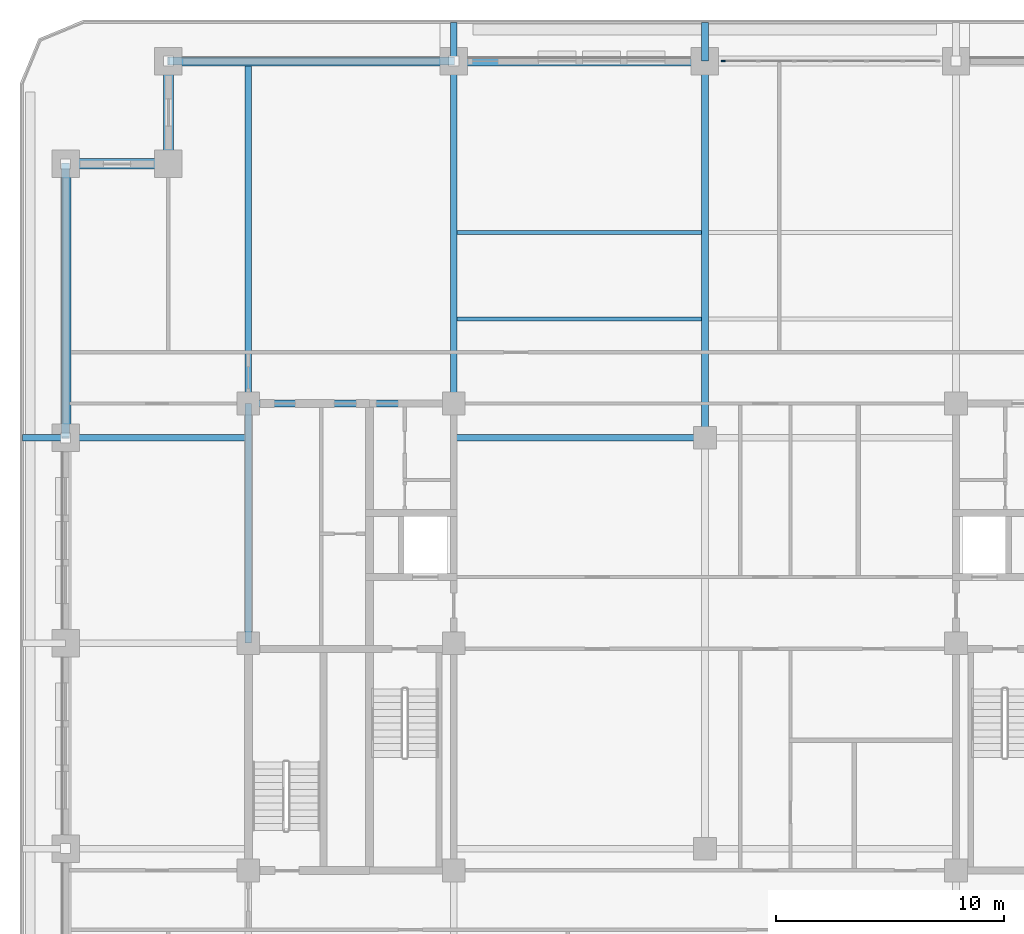
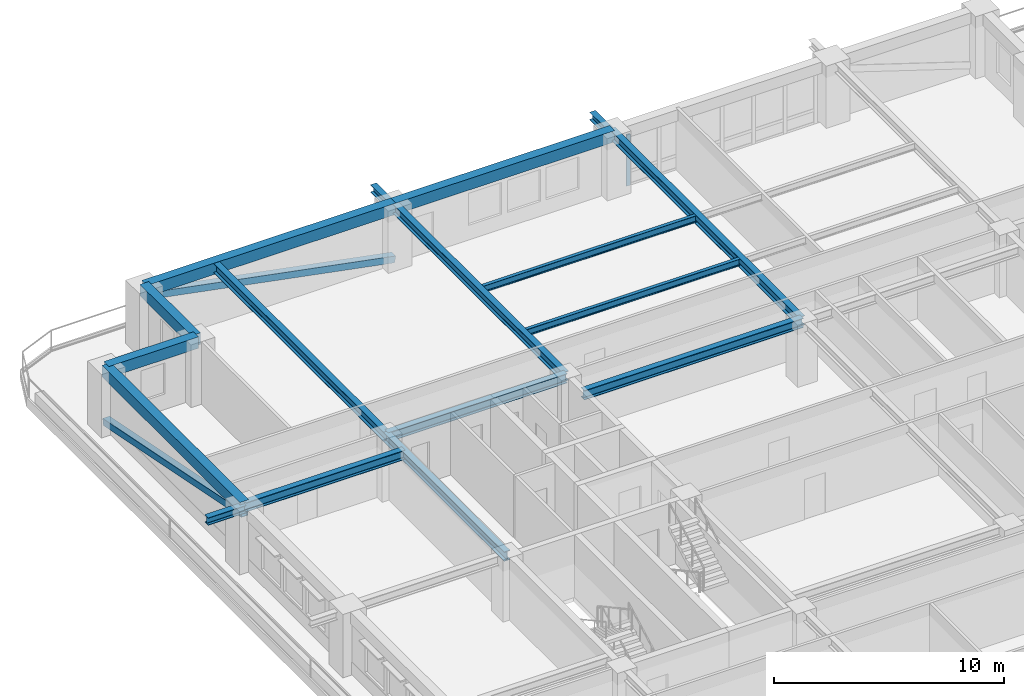
# One storey, part 5 of 20: 17 beams, 3 members, 1 element without a shape of its own.
"""IFC4 building model written with IfcOpenShell, lengths in metres."""

from ifc_helpers import new_model, si_unit, direction, frame, origin, origin_2d, place, context, subcontext, project, spatial, rectangle, hollow_rectangle, i_section, extrude, material, material_profile, profile_set, type_object, element, aggregate, save


model = new_model("IFC4")

# Units and contexts
model_context = context("Model", 3, precision=1e-05, world=origin(), true_north=direction((0.0, 1.0)))
body_context = subcontext(model_context, "Body", "Model", "MODEL_VIEW")
ifc_project = project(units=[si_unit("LENGTHUNIT", "METRE"), si_unit("AREAUNIT", "SQUARE_METRE"), si_unit("VOLUMEUNIT", "CUBIC_METRE"), si_unit("PLANEANGLEUNIT", "RADIAN"), si_unit("MASSUNIT", "GRAM", prefix="KILO")], contexts=[model_context])

# Site, building, storey
site_placement = place(None, origin())
site = spatial("IfcSite", under=ifc_project, at=site_placement, CompositionType="ELEMENT")
building_placement = place(site_placement, origin())
building = spatial("IfcBuilding", under=site, at=building_placement, Name="Zulmaris Gate Convention Tower", CompositionType="ELEMENT")
storey_placement = place(building_placement, frame((0.0, 0.0, 146.33984375)))
storey = spatial("IfcBuildingStorey", under=building, at=storey_placement, Name="L37", CompositionType="ELEMENT", Elevation=146.33984375)

# Beams
ifc_material_1 = material(Name="Steel S355", Category="steel")
ifc_material_profile_1 = material_profile(ifc_material_1, i_section(OverallWidth=0.300048828125, OverallDepth=0.39990234375, WebThickness=0.013427734375, FlangeThickness=0.02392578125, FilletRadius=0.027099609375, at=origin_2d()), Name="HEB 400")
ifc_profile_set_1 = profile_set([ifc_material_profile_1], Name="Steel S355")
beam_type_1 = type_object("IfcBeamType", Name="BM-HEB400", PredefinedType="BEAM", material=ifc_profile_set_1)
for number, where, z_axis, x_axis, name in (
    (1, (-11.0, 25.5, 2.97998046875), (0.0, 1.0, 0.0), (-1.0, 0.0, 0.0), "L37 Beam TBRK-L37-N--11"),
    (2, (0.0, 25.5, 2.97998046875), (0.0, 1.0, 0.0), (-1.0, 0.0, 0.0), "L37 Beam TBRK-L37-N-+0"),
):
    element("IfcBeam", number, at=place(storey_placement, frame(where, z_axis=z_axis, x_axis=x_axis)), inside=storey, type_object=beam_type_1, Name=name, PredefinedType="BEAM", context=body_context, shape_type="SweptSolid", body=[
        extrude(i_section(OverallWidth=0.300048828125, OverallDepth=0.39990234375, WebThickness=0.013427734375, FlangeThickness=0.02392578125, FilletRadius=0.027099609375, at=origin_2d()), origin(), (0.0, 0.0, 1.0), 1.699951171875),
    ])
beam_1_placement = place(storey_placement, frame((-29.89990234375, 9.0, 2.97998046875), z_axis=(1.0, 0.0, 0.0), x_axis=(0.0, 1.0, 0.0)))
element("IfcBeam", 3, at=beam_1_placement, inside=storey, type_object=beam_type_1, Name="L37 Beam TBRK-L37-W-+9", PredefinedType="BEAM", context=body_context, shape_type="SweptSolid", body=[
    extrude(i_section(OverallWidth=0.300048828125, OverallDepth=0.39990234375, WebThickness=0.013427734375, FlangeThickness=0.02392578125, FilletRadius=0.027099609375, at=origin_2d()), origin(), (0.0, 0.0, 1.0), 1.89990234375),
])
ifc_material_profile_2 = material_profile(ifc_material_1, i_section(OverallWidth=0.300048828125, OverallDepth=0.5, WebThickness=0.014404296875, FlangeThickness=0.028076171875, FilletRadius=0.027099609375, at=origin_2d()), Name="HEB 500")
ifc_profile_set_2 = profile_set([ifc_material_profile_2], Name="Steel S355")
beam_type_2 = type_object("IfcBeamType", Name="BM-HEB500", PredefinedType="BEAM", material=ifc_profile_set_2)
beam_2_placement = place(storey_placement, frame((-11.0, 9.0, 3.068115234375), z_axis=(1.0, 0.0, 0.0), x_axis=(0.0, 1.0, 0.0)))
element("IfcBeam", 4, at=beam_2_placement, inside=storey, type_object=beam_type_2, Name="L37 Beam BM-L37-G03", PredefinedType="BEAM", context=body_context, shape_type="SweptSolid", body=[
    extrude(i_section(OverallWidth=0.300048828125, OverallDepth=0.5, WebThickness=0.014404296875, FlangeThickness=0.028076171875, FilletRadius=0.027099609375, at=origin_2d()), origin(), (0.0, 0.0, 1.0), 11.0),
])
beam_3_placement = place(storey_placement, frame((0.0, 9.0, 3.068115234375), z_axis=(0.0, 1.0, 0.0), x_axis=(-1.0, 0.0, 0.0)))
element("IfcBeam", 5, at=beam_3_placement, inside=storey, type_object=beam_type_2, Name="L37 Beam BM-L37-G07", PredefinedType="BEAM", context=body_context, shape_type="SweptSolid", body=[
    extrude(i_section(OverallWidth=0.300048828125, OverallDepth=0.5, WebThickness=0.014404296875, FlangeThickness=0.028076171875, FilletRadius=0.027099609375, at=origin_2d()), origin(), (0.0, 0.0, 1.0), 16.5),
])
for number, where, z_axis, x_axis, name in (
    (6, (-11.0, 10.5, 3.068115234375), (0.0, 1.0, 0.0), (-1.0, 0.0, 0.0), "L37 Beam BM-L37-G09"),
    (7, (-20.0, 10.5, 3.068115234375), (0.0, 1.0, 0.0), (-1.0, 0.0, 0.0), "L37 Beam BM-L37-G13"),
):
    element("IfcBeam", number, at=place(storey_placement, frame(where, z_axis=z_axis, x_axis=x_axis)), inside=storey, type_object=beam_type_2, Name=name, PredefinedType="BEAM", context=body_context, shape_type="SweptSolid", body=[
        extrude(i_section(OverallWidth=0.300048828125, OverallDepth=0.5, WebThickness=0.014404296875, FlangeThickness=0.028076171875, FilletRadius=0.027099609375, at=origin_2d()), origin(), (0.0, 0.0, 1.0), 15.0),
    ])
beam_4_placement = place(storey_placement, frame((-28.0, 9.0, 3.068115234375), z_axis=(1.0, 0.0, 0.0), x_axis=(0.0, 1.0, 0.0)))
element("IfcBeam", 8, at=beam_4_placement, inside=storey, type_object=beam_type_2, Name="L37 Beam BM-L37-G18", PredefinedType="BEAM", context=body_context, shape_type="SweptSolid", body=[
    extrude(i_section(OverallWidth=0.300048828125, OverallDepth=0.5, WebThickness=0.014404296875, FlangeThickness=0.028076171875, FilletRadius=0.027099609375, at=origin_2d()), origin(), (0.0, 0.0, 1.0), 8.0),
])
beam_5_placement = place(storey_placement, frame((-20.0, 10.5, 3.068115234375), z_axis=(1.0, 0.0, 0.0), x_axis=(0.0, 1.0, 0.0)))
element("IfcBeam", 9, at=beam_5_placement, inside=storey, type_object=beam_type_2, Name="L37 Beam BM-L37-G23", PredefinedType="BEAM", context=body_context, shape_type="SweptSolid", body=[
    extrude(i_section(OverallWidth=0.300048828125, OverallDepth=0.5, WebThickness=0.014404296875, FlangeThickness=0.028076171875, FilletRadius=0.027099609375, at=origin_2d()), origin(), (0.0, 0.0, 1.0), 9.0),
])
beam_6_placement = place(storey_placement, frame((-20.0, 0.0, 3.068115234375), z_axis=(0.0, 1.0, 0.0), x_axis=(-1.0, 0.0, 0.0)))
element("IfcBeam", 10, at=beam_6_placement, inside=storey, type_object=beam_type_2, Name="L37 Beam BM-L37-G27", PredefinedType="BEAM", context=body_context, shape_type="SweptSolid", body=[
    extrude(i_section(OverallWidth=0.300048828125, OverallDepth=0.5, WebThickness=0.014404296875, FlangeThickness=0.028076171875, FilletRadius=0.027099609375, at=origin_2d()), origin(), (0.0, 0.0, 1.0), 10.5),
])
ifc_material_2 = material(Name="Precast concrete C50/60", Category="concrete")
ifc_material_profile_3 = material_profile(ifc_material_2, rectangle(XDim=0.449951171875, YDim=0.60009765625, at=origin_2d()), Name="RC SPANDREL 450x600")
ifc_profile_set_3 = profile_set([ifc_material_profile_3], Name="Precast concrete C50/60")
beam_type_3 = type_object("IfcBeamType", Name="BM-SP450x600", PredefinedType="SPANDREL", material=ifc_profile_set_3)
beam_7_placement = place(storey_placement, frame((0.0, 25.5, 3.02001953125), z_axis=(-1.0, 0.0, 0.0), x_axis=(0.0, -1.0, 0.0)))
element("IfcBeam", 11, at=beam_7_placement, inside=storey, type_object=beam_type_3, Name="L37 Spandrel SP-L37-15", PredefinedType="SPANDREL", context=body_context, shape_type="SweptSolid", body=[
    extrude(rectangle(XDim=0.449951171875, YDim=0.60009765625, at=origin_2d()), origin(), (0.0, 0.0, 1.0), 11.0),
])
beam_8_placement = place(storey_placement, frame((-11.0, 25.5, 3.02001953125), z_axis=(-1.0, 0.0, 0.0), x_axis=(0.0, -1.0, 0.0)))
element("IfcBeam", 12, at=beam_8_placement, inside=storey, type_object=beam_type_3, Name="L37 Spandrel SP-L37-16", PredefinedType="SPANDREL", context=body_context, shape_type="SweptSolid", body=[
    extrude(rectangle(XDim=0.449951171875, YDim=0.60009765625, at=origin_2d()), origin(), (0.0, 0.0, 1.0), 12.5),
])
for number, where, z_axis, x_axis, name in (
    (13, (-23.5, 25.5, 3.02001953125), (0.0, -1.0, 0.0), (1.0, 0.0, 0.0), "L37 Spandrel SP-L37-17"),
    (14, (-23.5, 21.0, 3.02001953125), (-1.0, 0.0, 0.0), (0.0, -1.0, 0.0), "L37 Spandrel SP-L37-18"),
):
    element("IfcBeam", number, at=place(storey_placement, frame(where, z_axis=z_axis, x_axis=x_axis)), inside=storey, type_object=beam_type_3, Name=name, PredefinedType="SPANDREL", context=body_context, shape_type="SweptSolid", body=[
        extrude(rectangle(XDim=0.449951171875, YDim=0.60009765625, at=origin_2d()), origin(), (0.0, 0.0, 1.0), 4.5),
    ])
beam_9_placement = place(storey_placement, frame((-28.0, 21.0, 3.02001953125), z_axis=(0.0, -1.0, 0.0), x_axis=(1.0, 0.0, 0.0)))
element("IfcBeam", 15, at=beam_9_placement, inside=storey, type_object=beam_type_3, Name="L37 Spandrel SP-L37-19", PredefinedType="SPANDREL", context=body_context, shape_type="SweptSolid", body=[
    extrude(rectangle(XDim=0.449951171875, YDim=0.60009765625, at=origin_2d()), origin(), (0.0, 0.0, 1.0), 12.0),
])

# Members
ifc_material_3 = material(Name="Steel S460", Category="steel")
ifc_material_profile_4 = material_profile(ifc_material_3, hollow_rectangle(XDim=0.35009765625, YDim=0.35009765625, WallThickness=0.01611328125, at=origin_2d()), Name="SHS 350x350x16")
ifc_profile_set_4 = profile_set([ifc_material_profile_4], Name="Steel S460")
member_type_1 = type_object("IfcMemberType", Name="BR-SHS350", PredefinedType="BRACE", material=ifc_profile_set_4)
member_1_placement = place(storey_placement, frame((-28.0, 21.0, 0.300048828125), z_axis=(0.0, -0.980582210276, 0.196108462057), x_axis=(1.0, 0.0, 0.0)))
element("IfcMember", 16, at=member_1_placement, inside=storey, type_object=member_type_1, Name="L37 Perimeter Tube Diagonal NW-W", PredefinedType="BRACE", context=body_context, shape_type="SweptSolid", body=[
    extrude(hollow_rectangle(XDim=0.35009765625, YDim=0.35009765625, WallThickness=0.01611328125, at=origin_2d()), origin(), (0.0, 0.0, 1.0), 12.237548828125),
])
member_2_placement = place(storey_placement, frame((-11.0, 25.5, 0.300048828125), z_axis=(-0.982063862241, 0.0, 0.188548589176), x_axis=(0.0, -1.0, 0.0)))
element("IfcMember", 17, at=member_2_placement, inside=storey, type_object=member_type_1, Name="L37 Perimeter Tube Diagonal NW-N", PredefinedType="BRACE", context=body_context, shape_type="SweptSolid", body=[
    extrude(hollow_rectangle(XDim=0.35009765625, YDim=0.35009765625, WallThickness=0.01611328125, at=origin_2d()), origin(), (0.0, 0.0, 1.0), 12.728271484375),
])

# Curtain wall, member
ifc_material_4 = material(Name="Anodised Aluminium", Category="aluminium")
curtain_wall_type = type_object("IfcCurtainWallType", Name="CW-06", PredefinedType="NOTDEFINED", material=ifc_material_4)
curtain_wall_placement = place(storey_placement, origin())
curtain_wall = element("IfcCurtainWall", 18, at=curtain_wall_placement, inside=storey, type_object=curtain_wall_type, Name="CW-06 CW06-L37-N-2_0", PredefinedType="NOTDEFINED")
ifc_material_profile_5 = material_profile(ifc_material_4, rectangle(XDim=0.074951171875, YDim=0.179931640625, at=origin_2d()), Name="ALU MULLION 75x180")
ifc_profile_set_5 = profile_set([ifc_material_profile_5], Name="Anodised Aluminium")
member_type_2 = type_object("IfcMemberType", Name="CW-06-MULL", PredefinedType="MULLION", material=ifc_profile_set_5)
member_3_placement = place(storey_placement, frame((0.797607421875, 25.5, 0.0), z_axis=(0.0, 0.0, 1.0), x_axis=(0.0, -1.0, 0.0)))
member_3 = element("IfcMember", 19, at=member_3_placement, type_object=member_type_2, Name="CW-06 mullion 7", PredefinedType="MULLION", context=body_context, shape_type="SweptSolid", body=[
    extrude(rectangle(XDim=0.074951171875, YDim=0.179931640625, at=origin_2d()), origin(), (0.0, 0.0, 1.0), 2.712158203125),
])
aggregate(curtain_wall, [member_3])

# Beams
ifc_material_profile_6 = material_profile(ifc_material_1, i_section(OverallWidth=0.169921875, OverallDepth=0.360107421875, WebThickness=0.008056640625, FlangeThickness=0.0126953125, FilletRadius=0.01806640625, at=origin_2d()), Name="IPE 360")
ifc_profile_set_6 = profile_set([ifc_material_profile_6], Name="Steel S355")
beam_type_4 = type_object("IfcBeamType", Name="JT-IPE360", PredefinedType="JOIST", material=ifc_profile_set_6)
for number, where, z_axis, x_axis, name in (
    (20, (-10.85009765625, 14.199951171875, 3.137939453125), (1.0, 0.0, 0.0), (0.0, 1.0, 0.0), "L37 Joist JT-L37-CW-+14.2"),
    (21, (-10.85009765625, 18.0, 3.137939453125), (1.0, 0.0, 0.0), (0.0, 1.0, 0.0), "L37 Joist JT-L37-CW-+18.0"),
):
    element("IfcBeam", number, at=place(storey_placement, frame(where, z_axis=z_axis, x_axis=x_axis)), inside=storey, type_object=beam_type_4, Name=name, PredefinedType="JOIST", context=body_context, shape_type="SweptSolid", body=[
        extrude(i_section(OverallWidth=0.169921875, OverallDepth=0.360107421875, WebThickness=0.008056640625, FlangeThickness=0.0126953125, FilletRadius=0.01806640625, at=origin_2d()), origin(), (0.0, 0.0, 1.0), 10.7001953125),
    ])

save(model, "model.ifc")
